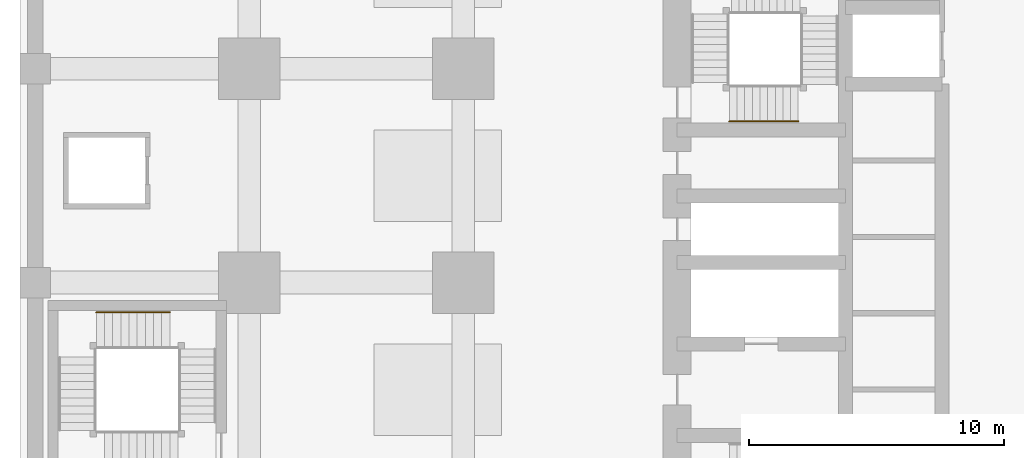
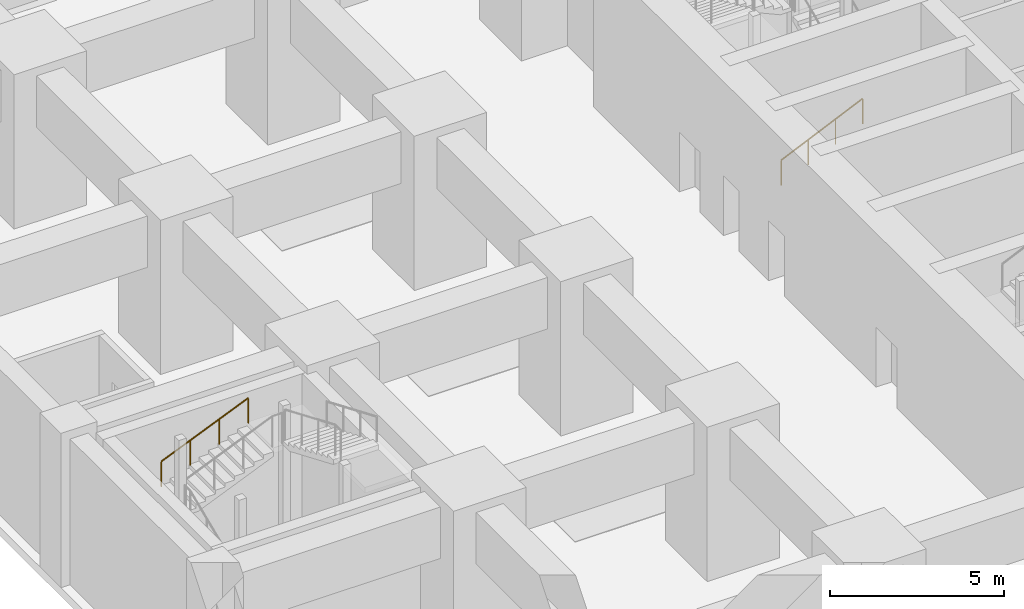
# One storey, part 17 of 20: 2 railings.
"""IFC4 building model written with IfcOpenShell, lengths in metres."""

from ifc_helpers import new_model, si_unit, direction, frame, origin, origin_2d, place, context, subcontext, project, spatial, circle, extrude, material, type_object, element, save


model = new_model("IFC4")

# Units and contexts
model_context = context("Model", 3, precision=1e-05, world=origin(), true_north=direction((0.0, 1.0)))
body_context = subcontext(model_context, "Body", "Model", "MODEL_VIEW")
ifc_project = project(units=[si_unit("LENGTHUNIT", "METRE"), si_unit("AREAUNIT", "SQUARE_METRE"), si_unit("VOLUMEUNIT", "CUBIC_METRE"), si_unit("PLANEANGLEUNIT", "RADIAN"), si_unit("MASSUNIT", "GRAM", prefix="KILO")], contexts=[model_context])

# Site, building, storey
site_placement = place(None, origin())
site = spatial("IfcSite", under=ifc_project, at=site_placement, CompositionType="ELEMENT")
building_placement = place(site_placement, origin())
building = spatial("IfcBuilding", under=site, at=building_placement, Name="Rekha Terrace Tower", CompositionType="ELEMENT")
storey_placement = place(building_placement, frame((0.0, 0.0, -5.39990234375)))
storey = spatial("IfcBuildingStorey", under=building, at=storey_placement, Name="B-01", CompositionType="ELEMENT", Elevation=-5.39990234375)

# Railings
ifc_material = material(Name="Stainless steel tube", Category="steel")
railing_type = type_object("IfcRailingType", Name="HR1 900 stair handrail", PredefinedType="HANDRAIL", material=ifc_material)
railing_1_placement = place(storey_placement, frame((2.39990234375, 32.43994140625, 2.8349609375)))
element("IfcRailing", 1, at=railing_1_placement, inside=storey, type_object=railing_type, Name="Handrail SP1 B-01 flight 3", PredefinedType="HANDRAIL", context=body_context, shape_type="SweptSolid", body=[
    extrude(circle(Radius=0.02392578125, at=origin_2d()), frame((0.0, 0.0, 0.8759765625), z_axis=(0.9213881973, 0.0, 0.388643525453), x_axis=(0.0, 1.0, 0.0)), (0.0, 0.0, 1.0), 3.1259765625),
    extrude(circle(Radius=0.02099609375, at=origin_2d()), origin(), (0.0, 0.0, 1.0), 0.851806640625),
    extrude(circle(Radius=0.02099609375, at=origin_2d()), frame((0.9599609375, 0.0, 0.405029296875)), (0.0, 0.0, 1.0), 0.851806640625),
    extrude(circle(Radius=0.02099609375, at=origin_2d()), frame((1.920166015625, 0.0, 0.809814453125)), (0.0, 0.0, 1.0), 0.851806640625),
    extrude(circle(Radius=0.02099609375, at=origin_2d()), frame((2.880126953125, 0.0, 1.21484375)), (0.0, 0.0, 1.0), 0.851806640625),
])
railing_2_placement = place(storey_placement, frame((27.25, 39.93505859375, 0.135009765625)))
element("IfcRailing", 2, at=railing_2_placement, inside=storey, type_object=railing_type, Name="Handrail ST4 B-01 flight 1", PredefinedType="HANDRAIL", context=body_context, shape_type="SweptSolid", body=[
    extrude(circle(Radius=0.02392578125, at=origin_2d()), frame((0.0, 0.0, 0.8759765625), z_axis=(0.91193847666, 0.0, 0.410326960834), x_axis=(0.0, 1.0, 0.0)), (0.0, 0.0, 1.0), 2.960693359375),
    extrude(circle(Radius=0.02099609375, at=origin_2d()), origin(), (0.0, 0.0, 1.0), 0.851806640625),
    extrude(circle(Radius=0.02099609375, at=origin_2d()), frame((0.89990234375, 0.0, 0.405029296875)), (0.0, 0.0, 1.0), 0.851806640625),
    extrude(circle(Radius=0.02099609375, at=origin_2d()), frame((1.800048828125, 0.0, 0.809814453125)), (0.0, 0.0, 1.0), 0.851806640625),
    extrude(circle(Radius=0.02099609375, at=origin_2d()), frame((2.699951171875, 0.0, 1.21484375)), (0.0, 0.0, 1.0), 0.851806640625),
])

save(model, "model.ifc")
